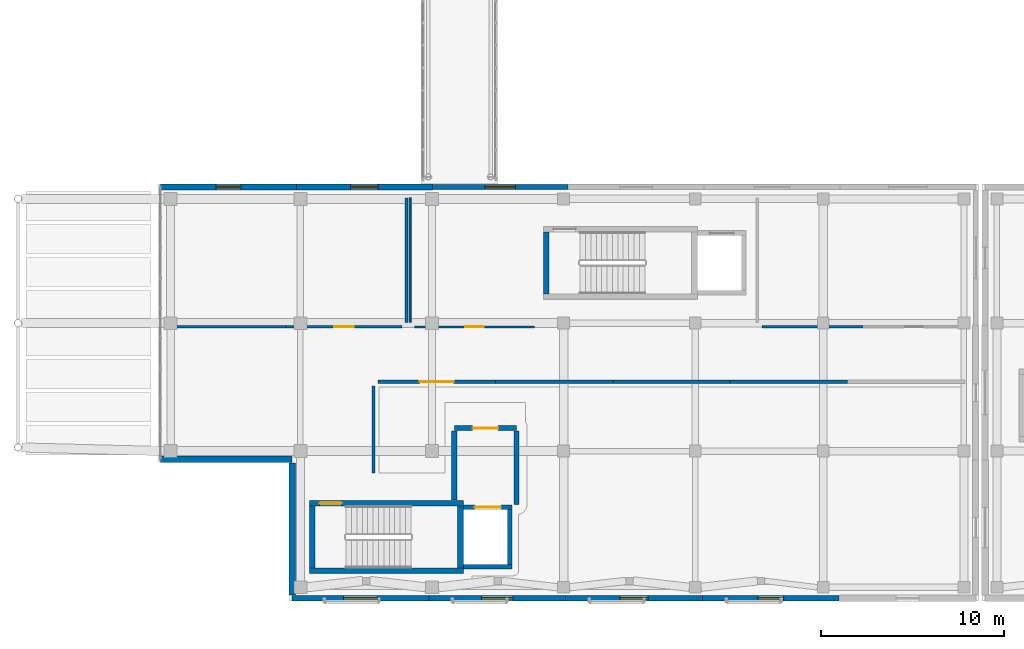
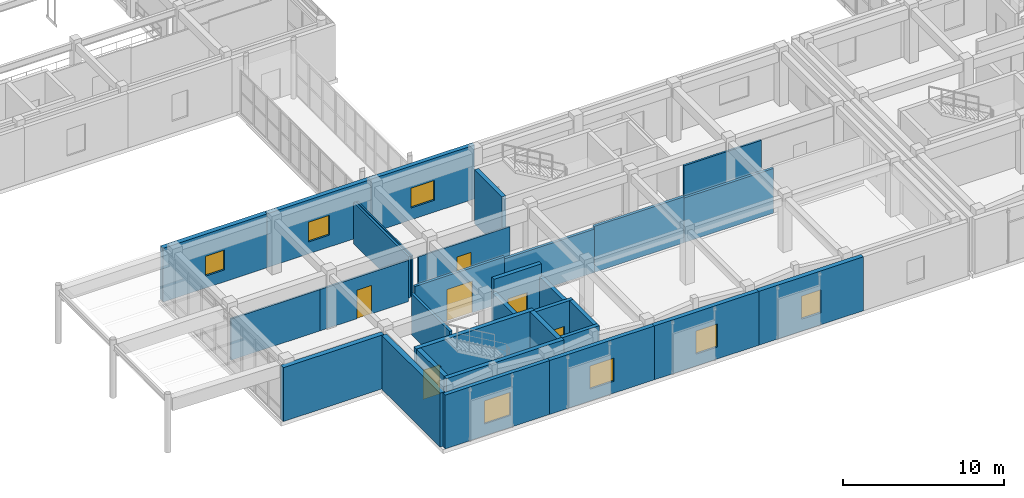
# One storey, part 117 of 142: 31 walls, 7 windows, 6 doors, 13 openings.
"""IFC4 building model written with IfcOpenShell, lengths in metres."""

from ifc_helpers import new_model, si_unit, direction, frame, frame_2d, origin, place, context, subcontext, project, spatial, rectangle, extrude, material, layer, layer_set, type_object, element, fill, save


model = new_model("IFC4")

# Units and contexts
model_context = context("Model", 3, precision=1e-05, world=origin(), true_north=direction((0.0, 1.0)))
body_context = subcontext(model_context, "Body", "Model", "MODEL_VIEW")
ifc_project = project(units=[si_unit("LENGTHUNIT", "METRE"), si_unit("AREAUNIT", "SQUARE_METRE"), si_unit("VOLUMEUNIT", "CUBIC_METRE"), si_unit("PLANEANGLEUNIT", "RADIAN"), si_unit("MASSUNIT", "GRAM", prefix="KILO")], contexts=[model_context])

# Site, building, storey
site_placement = place(None, origin())
site = spatial("IfcSite", under=ifc_project, at=site_placement, CompositionType="ELEMENT")
building_placement = place(site_placement, origin())
building = spatial("IfcBuilding", under=site, at=building_placement, Name="Valcora Specialist Clinic", CompositionType="ELEMENT")
storey_placement = place(building_placement, frame((0.0, 0.0, 5.10009765625)))
storey = spatial("IfcBuildingStorey", under=building, at=storey_placement, Name="L01", CompositionType="ELEMENT", Elevation=5.10009765625)

# Wall, opening, door
ifc_material_1 = material(Name="Concrete C40/50", Category="concrete")
ifc_layer_1 = layer(ifc_material_1, 0.284912109375)
ifc_layer_set_1 = layer_set([ifc_layer_1], Name="Concrete C40/50")
wall_type_1 = type_object("IfcWallType", Name="TY-WL-CR285", PredefinedType="SHEAR", material=ifc_layer_set_1)
wall_1_placement = place(storey_placement, frame((24.6201171875, 9.4599609375, 0.0), z_axis=(0.0, 0.0, 1.0), x_axis=(1.0, 0.0, 0.0)))
wall_1 = element("IfcWall", 1, at=wall_1_placement, inside=storey, type_object=wall_type_1, Name="Firefighting lobby front wall WL-FFL-LF-05-L01-F", PredefinedType="SHEAR", context=body_context, shape_type="SweptSolid", body=[
    extrude(rectangle(XDim=3.39990234375, YDim=0.284912109375, at=frame_2d((1.699951171875, 0.0))), origin(), (0.0, 0.0, 1.0), 4.074951171875),
])
opening_1_placement = place(wall_1_placement, frame((1.0, 0.0, 0.0)))
opening_1 = element("IfcOpeningElement", 2, at=opening_1_placement, cuts=wall_1, Name="Opening DR-FF-140", PredefinedType="OPENING", context=body_context, shape_type="SweptSolid", body=[
    extrude(rectangle(XDim=1.39990234375, YDim=2.25, at=frame_2d((0.699951171875, 1.125))), frame((0.0, 0.15234375, 0.0), z_axis=(0.0, -1.0, 0.0), x_axis=(1.0, 0.0, 0.0)), (0.0, 0.0, 1.0), 0.304931640625),
])
ifc_material_2 = material(Name="Galvanized Hollow Metal Door Steel ASTM A653", Category="steel")
door_type_1 = type_object("IfcDoorType", Name="TY-DR-FF140", OperationType="NOTDEFINED", PredefinedType="DOOR", material=ifc_material_2)
door_1_placement = place(opening_1_placement, origin())
door_1 = element("IfcDoor", 3, at=door_1_placement, inside=storey, type_object=door_type_1, Name="Firefighting lobby fire door LF-05 L01", OperationType="SINGLE_SWING_LEFT", OverallHeight=2.25, OverallWidth=1.39990234375, PredefinedType="DOOR", context=body_context, shape_type="SweptSolid", body=[
    extrude(rectangle(XDim=1.39990234375, YDim=2.25, at=frame_2d((0.699951171875, 1.125))), frame((0.0, 0.02490234375, 0.0), z_axis=(0.0, -1.0, 0.0), x_axis=(1.0, 0.0, 0.0)), (0.0, 0.0, 1.0), 0.050048828125),
])
fill(opening_1, door_1)

# Walls
wall_2_placement = place(storey_placement, frame((24.6201171875, 5.52001953125, 0.0), z_axis=(0.0, 0.0, 1.0), x_axis=(0.0, 1.0, 0.0)))
element("IfcWall", 4, at=wall_2_placement, inside=storey, type_object=wall_type_1, Name="Firefighting lobby west wall", PredefinedType="SHEAR", context=body_context, shape_type="SweptSolid", body=[
    extrude(rectangle(XDim=3.7900390625, YDim=0.284912109375, at=frame_2d((1.89501953125, 0.0))), origin(), (0.0, 0.0, 1.0), 3.125),
])
wall_3_placement = place(storey_placement, frame((28.02001953125, 5.280029296875, 0.0), z_axis=(0.0, 0.0, 1.0), x_axis=(0.0, 1.0, 0.0)))
element("IfcWall", 5, at=wall_3_placement, inside=storey, type_object=wall_type_1, Name="Firefighting lobby east wall", PredefinedType="SHEAR", context=body_context, shape_type="SweptSolid", body=[
    extrude(rectangle(XDim=4.030029296875, YDim=0.284912109375, at=frame_2d((2.01513671875, 0.0))), origin(), (0.0, 0.0, 1.0), 3.125),
])
ifc_layer_2 = layer(ifc_material_1, 0.300048828125)
ifc_layer_set_2 = layer_set([ifc_layer_2], Name="Concrete C40/50")
wall_type_2 = type_object("IfcWallType", Name="TY-WL-CR300", PredefinedType="SHEAR", material=ifc_layer_set_2)
wall_4_placement = place(storey_placement, frame((16.699951171875, 1.64990234375, 0.0), z_axis=(0.0, 0.0, 1.0), x_axis=(1.0, 0.0, 0.0)))
element("IfcWall", 6, at=wall_4_placement, inside=storey, type_object=wall_type_2, Name="Core shear wall WL-CR-C-V5A-L01-S", PredefinedType="SHEAR", context=body_context, shape_type="SweptSolid", body=[
    extrude(rectangle(XDim=8.420166015625, YDim=0.300048828125, at=frame_2d((4.2099609375, 0.0))), origin(), (0.0, 0.0, 1.0), 4.074951171875),
])

# Wall, opening, door
wall_5_placement = place(storey_placement, frame((16.699951171875, 5.35009765625, 0.0), z_axis=(0.0, 0.0, 1.0), x_axis=(1.0, 0.0, 0.0)))
wall_5 = element("IfcWall", 7, at=wall_5_placement, inside=storey, type_object=wall_type_2, Name="Core shear wall WL-CR-C-V5A-L01-N", PredefinedType="SHEAR", context=body_context, shape_type="SweptSolid", body=[
    extrude(rectangle(XDim=8.420166015625, YDim=0.300048828125, at=frame_2d((4.2099609375, 0.0))), origin(), (0.0, 0.0, 1.0), 4.074951171875),
])
opening_2_placement = place(wall_5_placement, frame((0.550048828125, 0.0, 0.0)))
opening_2 = element("IfcOpeningElement", 8, at=opening_2_placement, cuts=wall_5, Name="Opening DR-FD-120", PredefinedType="OPENING", context=body_context, shape_type="SweptSolid", body=[
    extrude(rectangle(XDim=1.199951171875, YDim=2.199951171875, at=frame_2d((0.60009765625, 1.10009765625))), frame((0.0, 0.159912109375, 0.0), z_axis=(0.0, -1.0, 0.0), x_axis=(1.0, 0.0, 0.0)), (0.0, 0.0, 1.0), 0.320068359375),
])
door_type_2 = type_object("IfcDoorType", Name="TY-DR-ST120", OperationType="NOTDEFINED", PredefinedType="DOOR", material=ifc_material_2)
door_2_placement = place(opening_2_placement, origin())
door_2 = element("IfcDoor", 9, at=door_2_placement, inside=storey, type_object=door_type_2, Name="Exit stair fire door C-V5A L01", OperationType="SINGLE_SWING_RIGHT", OverallHeight=2.199951171875, OverallWidth=1.199951171875, PredefinedType="DOOR", context=body_context, shape_type="SweptSolid", body=[
    extrude(rectangle(XDim=1.199951171875, YDim=2.199951171875, at=frame_2d((0.60009765625, 1.10009765625))), frame((0.0, 0.02490234375, 0.0), z_axis=(0.0, -1.0, 0.0), x_axis=(1.0, 0.0, 0.0)), (0.0, 0.0, 1.0), 0.050048828125),
])
fill(opening_2, door_2)

# Walls
for number, where, z_axis, x_axis, name in (
    (10, (16.85009765625, 1.802001953125, 0.0), (0.0, 0.0, 1.0), (0.0, 1.0, 0.0), "Core shear wall WL-CR-C-V5A-L01-W"),
    (11, (29.64990234375, 16.802001953125, 0.0), (0.0, 0.0, 1.0), (0.0, 1.0, 0.0), "Core shear wall WL-CR-C-V5B-L01-W"),
):
    element("IfcWall", number, at=place(storey_placement, frame(where, z_axis=z_axis, x_axis=x_axis)), inside=storey, type_object=wall_type_2, Name=name, PredefinedType="SHEAR", context=body_context, shape_type="SweptSolid", body=[
        extrude(rectangle(XDim=3.39599609375, YDim=0.300048828125, at=frame_2d((1.697998046875, 0.0))), origin(), (0.0, 0.0, 1.0), 4.074951171875),
    ])
ifc_layer_3 = layer(ifc_material_1, 0.320068359375)
ifc_layer_set_3 = layer_set([ifc_layer_3], Name="Concrete C40/50")
wall_type_3 = type_object("IfcWallType", Name="TY-WL-CR320", PredefinedType="SHEAR", material=ifc_layer_set_3)
wall_6_placement = place(storey_placement, frame((24.9599609375, 1.802001953125, 0.0), z_axis=(0.0, 0.0, 1.0), x_axis=(0.0, 1.0, 0.0)))
element("IfcWall", 12, at=wall_6_placement, inside=storey, type_object=wall_type_3, Name="Core shear wall WL-CR-C-V5A-L01-E", PredefinedType="SHEAR", context=body_context, shape_type="SweptSolid", body=[
    extrude(rectangle(XDim=3.39599609375, YDim=0.320068359375, at=frame_2d((1.697998046875, 0.0))), origin(), (0.0, 0.0, 1.0), 4.074951171875),
])

# Wall, opening, window
ifc_material_3 = material(Name="Extruded Jalisco Clay Brick Masonry", Category="masonry")
ifc_layer_4 = layer(ifc_material_3, 0.280029296875)
ifc_layer_set_4 = layer_set([ifc_layer_4], Name="Extruded Jalisco Clay Brick Masonry")
wall_type_4 = type_object("IfcWallType", Name="TY-WL-EW280", PredefinedType="SOLIDWALL", material=ifc_layer_set_4)
wall_7_placement = place(storey_placement, frame((23.22998046875, 0.14990234375, 0.0), z_axis=(0.0, 0.0, 1.0), x_axis=(-1.0, 0.0, 0.0)))
wall_7 = element("IfcWall", 13, at=wall_7_placement, inside=storey, type_object=wall_type_4, Name="Exterior wall WL-EXT-L01-0257", PredefinedType="SOLIDWALL", context=body_context, shape_type="SweptSolid", body=[
    extrude(rectangle(XDim=7.47998046875, YDim=0.280029296875, at=frame_2d((3.739990234375, 0.0))), origin(), (0.0, 0.0, 1.0), 4.074951171875),
])
opening_3_placement = place(wall_7_placement, frame((2.81494140625, 0.0, 0.89990234375)))
opening_3 = element("IfcOpeningElement", 14, at=opening_3_placement, cuts=wall_7, Name="Opening WN-17", PredefinedType="OPENING", context=body_context, shape_type="SweptSolid", body=[
    extrude(rectangle(XDim=1.85009765625, YDim=1.75, at=frame_2d((0.925048828125, 0.875))), frame((0.0, 0.14990234375, 0.0), z_axis=(0.0, -1.0, 0.0), x_axis=(1.0, 0.0, 0.0)), (0.0, 0.0, 1.0), 0.300048828125),
])
ifc_material_4 = material(Name="Low-E Laminated Insulating Glass", Category="glass")
window_type_1 = type_object("IfcWindowType", Name="TY-WN-17", PartitioningType="SINGLE_PANEL", PredefinedType="WINDOW", material=ifc_material_4)
window_1_placement = place(opening_3_placement, origin())
window_1 = element("IfcWindow", 15, at=window_1_placement, inside=storey, type_object=window_type_1, Name="Facade window WN-L01-0227", OverallHeight=1.75, OverallWidth=1.85009765625, PartitioningType="SINGLE_PANEL", PredefinedType="WINDOW", context=body_context, shape_type="SweptSolid", body=[
    extrude(rectangle(XDim=1.85009765625, YDim=1.75, at=frame_2d((0.925048828125, 0.875))), frame((0.0, 0.030029296875, 0.0), z_axis=(0.0, -1.0, 0.0), x_axis=(1.0, 0.0, 0.0)), (0.0, 0.0, 1.0), 0.06005859375),
])
fill(opening_3, window_1)

ifc_layer_5 = layer(ifc_material_3, 0.294921875)
ifc_layer_set_5 = layer_set([ifc_layer_5], Name="Extruded Jalisco Clay Brick Masonry")
wall_type_5 = type_object("IfcWallType", Name="TY-WL-EW295", PredefinedType="SOLIDWALL", material=ifc_layer_set_5)
wall_8_placement = place(storey_placement, frame((23.416748046875, 22.64990234375, 0.0), z_axis=(0.0, 0.0, 1.0), x_axis=(1.0, 0.0, 0.0)))
wall_8 = element("IfcWall", 16, at=wall_8_placement, inside=storey, type_object=wall_type_5, Name="Exterior wall WL-EXT-L01-0246", PredefinedType="SOLIDWALL", context=body_context, shape_type="SweptSolid", body=[
    extrude(rectangle(XDim=7.433349609375, YDim=0.294921875, at=frame_2d((3.716796875, 0.0))), origin(), (0.0, 0.0, 1.0), 4.074951171875),
])
opening_4_placement = place(wall_8_placement, frame((2.89208984375, 0.0, 0.89990234375)))
opening_4 = element("IfcOpeningElement", 17, at=opening_4_placement, cuts=wall_8, Name="Opening WN-06", PredefinedType="OPENING", context=body_context, shape_type="SweptSolid", body=[
    extrude(rectangle(XDim=1.64990234375, YDim=1.5, at=frame_2d((0.824951171875, 0.75))), frame((0.0, 0.157470703125, 0.0), z_axis=(0.0, -1.0, 0.0), x_axis=(1.0, 0.0, 0.0)), (0.0, 0.0, 1.0), 0.31494140625),
])
window_type_2 = type_object("IfcWindowType", Name="TY-WN-06", PartitioningType="SINGLE_PANEL", PredefinedType="WINDOW", material=ifc_material_4)
window_2_placement = place(opening_4_placement, origin())
window_2 = element("IfcWindow", 18, at=window_2_placement, inside=storey, type_object=window_type_2, Name="Facade window WN-L01-0216", OverallHeight=1.5, OverallWidth=1.64990234375, PartitioningType="SINGLE_PANEL", PredefinedType="WINDOW", context=body_context, shape_type="SweptSolid", body=[
    extrude(rectangle(XDim=1.64990234375, YDim=1.5, at=frame_2d((0.824951171875, 0.75))), frame((0.0, 0.030029296875, 0.0), z_axis=(0.0, -1.0, 0.0), x_axis=(1.0, 0.0, 0.0)), (0.0, 0.0, 1.0), 0.06005859375),
])
fill(opening_4, window_2)

wall_9_placement = place(storey_placement, frame((30.7099609375, 0.14990234375, 0.0), z_axis=(0.0, 0.0, 1.0), x_axis=(-1.0, 0.0, 0.0)))
wall_9 = element("IfcWall", 19, at=wall_9_placement, inside=storey, type_object=wall_type_5, Name="Exterior wall WL-EXT-L01-0256", PredefinedType="SOLIDWALL", context=body_context, shape_type="SweptSolid", body=[
    extrude(rectangle(XDim=7.47998046875, YDim=0.294921875, at=frame_2d((3.739990234375, 0.0))), origin(), (0.0, 0.0, 1.0), 4.074951171875),
])
opening_5_placement = place(wall_9_placement, frame((2.889892578125, 0.0, 0.89990234375)))
opening_5 = element("IfcOpeningElement", 20, at=opening_5_placement, cuts=wall_9, Name="Opening WN-16", PredefinedType="OPENING", context=body_context, shape_type="SweptSolid", body=[
    extrude(rectangle(XDim=1.699951171875, YDim=1.75, at=frame_2d((0.85009765625, 0.875))), frame((0.0, 0.157470703125, 0.0), z_axis=(0.0, -1.0, 0.0), x_axis=(1.0, 0.0, 0.0)), (0.0, 0.0, 1.0), 0.31494140625),
])
window_type_3 = type_object("IfcWindowType", Name="TY-WN-16", PartitioningType="SINGLE_PANEL", PredefinedType="WINDOW", material=ifc_material_4)
window_3_placement = place(opening_5_placement, origin())
window_3 = element("IfcWindow", 21, at=window_3_placement, inside=storey, type_object=window_type_3, Name="Facade window WN-L01-0226", OverallHeight=1.75, OverallWidth=1.699951171875, PartitioningType="SINGLE_PANEL", PredefinedType="WINDOW", context=body_context, shape_type="SweptSolid", body=[
    extrude(rectangle(XDim=1.699951171875, YDim=1.75, at=frame_2d((0.85009765625, 0.875))), frame((0.0, 0.030029296875, 0.0), z_axis=(0.0, -1.0, 0.0), x_axis=(1.0, 0.0, 0.0)), (0.0, 0.0, 1.0), 0.06005859375),
])
fill(opening_5, window_3)

ifc_layer_6 = layer(ifc_material_3, 0.31005859375)
ifc_layer_set_6 = layer_set([ifc_layer_6], Name="Extruded Jalisco Clay Brick Masonry")
wall_type_6 = type_object("IfcWallType", Name="TY-WL-EW310", PredefinedType="SOLIDWALL", material=ifc_layer_set_6)
wall_10_placement = place(storey_placement, frame((15.9833984375, 22.64990234375, 0.0), z_axis=(0.0, 0.0, 1.0), x_axis=(1.0, 0.0, 0.0)))
wall_10 = element("IfcWall", 22, at=wall_10_placement, inside=storey, type_object=wall_type_6, Name="Exterior wall WL-EXT-L01-0245", PredefinedType="SOLIDWALL", context=body_context, shape_type="SweptSolid", body=[
    extrude(rectangle(XDim=7.433349609375, YDim=0.31005859375, at=frame_2d((3.716796875, 0.0))), origin(), (0.0, 0.0, 1.0), 4.074951171875),
])
opening_6_placement = place(wall_10_placement, frame((2.967041015625, 0.0, 0.89990234375)))
opening_6 = element("IfcOpeningElement", 23, at=opening_6_placement, cuts=wall_10, Name="Opening WN-05", PredefinedType="OPENING", context=body_context, shape_type="SweptSolid", body=[
    extrude(rectangle(XDim=1.5, YDim=1.5, at=frame_2d((0.75, 0.75))), frame((0.0, 0.1650390625, 0.0), z_axis=(0.0, -1.0, 0.0), x_axis=(1.0, 0.0, 0.0)), (0.0, 0.0, 1.0), 0.330078125),
])
window_type_4 = type_object("IfcWindowType", Name="TY-WN-05", PartitioningType="SINGLE_PANEL", PredefinedType="WINDOW", material=ifc_material_4)
window_4_placement = place(opening_6_placement, origin())
window_4 = element("IfcWindow", 24, at=window_4_placement, inside=storey, type_object=window_type_4, Name="Facade window WN-L01-0215", OverallHeight=1.5, OverallWidth=1.5, PartitioningType="SINGLE_PANEL", PredefinedType="WINDOW", context=body_context, shape_type="SweptSolid", body=[
    extrude(rectangle(XDim=1.5, YDim=1.5, at=frame_2d((0.75, 0.75))), frame((0.0, 0.030029296875, 0.0), z_axis=(0.0, -1.0, 0.0), x_axis=(1.0, 0.0, 0.0)), (0.0, 0.0, 1.0), 0.06005859375),
])
fill(opening_6, window_4)

wall_11_placement = place(storey_placement, frame((38.18994140625, 0.14990234375, 0.0), z_axis=(0.0, 0.0, 1.0), x_axis=(-1.0, 0.0, 0.0)))
wall_11 = element("IfcWall", 25, at=wall_11_placement, inside=storey, type_object=wall_type_6, Name="Exterior wall WL-EXT-L01-0255", PredefinedType="SOLIDWALL", context=body_context, shape_type="SweptSolid", body=[
    extrude(rectangle(XDim=7.47998046875, YDim=0.31005859375, at=frame_2d((3.739990234375, 0.0))), origin(), (0.0, 0.0, 1.0), 4.074951171875),
])
opening_7_placement = place(wall_11_placement, frame((2.965087890625, 0.0, 0.89990234375)))
opening_7 = element("IfcOpeningElement", 26, at=opening_7_placement, cuts=wall_11, Name="Opening WN-15", PredefinedType="OPENING", context=body_context, shape_type="SweptSolid", body=[
    extrude(rectangle(XDim=1.550048828125, YDim=1.75, at=frame_2d((0.77490234375, 0.875))), frame((0.0, 0.1650390625, 0.0), z_axis=(0.0, -1.0, 0.0), x_axis=(1.0, 0.0, 0.0)), (0.0, 0.0, 1.0), 0.330078125),
])
window_type_5 = type_object("IfcWindowType", Name="TY-WN-15", PartitioningType="SINGLE_PANEL", PredefinedType="WINDOW", material=ifc_material_4)
window_5_placement = place(opening_7_placement, origin())
window_5 = element("IfcWindow", 27, at=window_5_placement, inside=storey, type_object=window_type_5, Name="Facade window WN-L01-0225", OverallHeight=1.75, OverallWidth=1.550048828125, PartitioningType="SINGLE_PANEL", PredefinedType="WINDOW", context=body_context, shape_type="SweptSolid", body=[
    extrude(rectangle(XDim=1.550048828125, YDim=1.75, at=frame_2d((0.77490234375, 0.875))), frame((0.0, 0.030029296875, 0.0), z_axis=(0.0, -1.0, 0.0), x_axis=(1.0, 0.0, 0.0)), (0.0, 0.0, 1.0), 0.06005859375),
])
fill(opening_7, window_5)

ifc_layer_7 = layer(ifc_material_3, 0.324951171875)
ifc_layer_set_7 = layer_set([ifc_layer_7], Name="Extruded Jalisco Clay Brick Masonry")
wall_type_7 = type_object("IfcWallType", Name="TY-WL-EW325", PredefinedType="SOLIDWALL", material=ifc_layer_set_7)
wall_12_placement = place(storey_placement, frame((8.550048828125, 22.64990234375, 0.0), z_axis=(0.0, 0.0, 1.0), x_axis=(1.0, 0.0, 0.0)))
wall_12 = element("IfcWall", 28, at=wall_12_placement, inside=storey, type_object=wall_type_7, Name="Exterior wall WL-EXT-L01-0244", PredefinedType="SOLIDWALL", context=body_context, shape_type="SweptSolid", body=[
    extrude(rectangle(XDim=7.433349609375, YDim=0.324951171875, at=frame_2d((3.716796875, 0.0))), origin(), (0.0, 0.0, 1.0), 4.074951171875),
])
opening_8_placement = place(wall_12_placement, frame((3.0419921875, 0.0, 0.89990234375)))
opening_8 = element("IfcOpeningElement", 29, at=opening_8_placement, cuts=wall_12, Name="Opening WN-04", PredefinedType="OPENING", context=body_context, shape_type="SweptSolid", body=[
    extrude(rectangle(XDim=1.35009765625, YDim=1.5, at=frame_2d((0.675048828125, 0.75))), frame((0.0, 0.17236328125, 0.0), z_axis=(0.0, -1.0, 0.0), x_axis=(1.0, 0.0, 0.0)), (0.0, 0.0, 1.0), 0.344970703125),
])
window_type_6 = type_object("IfcWindowType", Name="TY-WN-04", PartitioningType="SINGLE_PANEL", PredefinedType="WINDOW", material=ifc_material_4)
window_6_placement = place(opening_8_placement, origin())
window_6 = element("IfcWindow", 30, at=window_6_placement, inside=storey, type_object=window_type_6, Name="Facade window WN-L01-0214", OverallHeight=1.5, OverallWidth=1.35009765625, PartitioningType="SINGLE_PANEL", PredefinedType="WINDOW", context=body_context, shape_type="SweptSolid", body=[
    extrude(rectangle(XDim=1.35009765625, YDim=1.5, at=frame_2d((0.675048828125, 0.75))), frame((0.0, 0.030029296875, 0.0), z_axis=(0.0, -1.0, 0.0), x_axis=(1.0, 0.0, 0.0)), (0.0, 0.0, 1.0), 0.06005859375),
])
fill(opening_8, window_6)

wall_13_placement = place(storey_placement, frame((45.669921875, 0.14990234375, 0.0), z_axis=(0.0, 0.0, 1.0), x_axis=(-1.0, 0.0, 0.0)))
wall_13 = element("IfcWall", 31, at=wall_13_placement, inside=storey, type_object=wall_type_7, Name="Exterior wall WL-EXT-L01-0254", PredefinedType="SOLIDWALL", context=body_context, shape_type="SweptSolid", body=[
    extrude(rectangle(XDim=7.47998046875, YDim=0.324951171875, at=frame_2d((3.739990234375, 0.0))), origin(), (0.0, 0.0, 1.0), 4.074951171875),
])
opening_9_placement = place(wall_13_placement, frame((3.0400390625, 0.0, 0.89990234375)))
opening_9 = element("IfcOpeningElement", 32, at=opening_9_placement, cuts=wall_13, Name="Opening WN-14", PredefinedType="OPENING", context=body_context, shape_type="SweptSolid", body=[
    extrude(rectangle(XDim=1.39990234375, YDim=1.75, at=frame_2d((0.699951171875, 0.875))), frame((0.0, 0.17236328125, 0.0), z_axis=(0.0, -1.0, 0.0), x_axis=(1.0, 0.0, 0.0)), (0.0, 0.0, 1.0), 0.344970703125),
])
window_type_7 = type_object("IfcWindowType", Name="TY-WN-14", PartitioningType="SINGLE_PANEL", PredefinedType="WINDOW", material=ifc_material_4)
window_7_placement = place(opening_9_placement, origin())
window_7 = element("IfcWindow", 33, at=window_7_placement, inside=storey, type_object=window_type_7, Name="Facade window WN-L01-0224", OverallHeight=1.75, OverallWidth=1.39990234375, PartitioningType="SINGLE_PANEL", PredefinedType="WINDOW", context=body_context, shape_type="SweptSolid", body=[
    extrude(rectangle(XDim=1.39990234375, YDim=1.75, at=frame_2d((0.699951171875, 0.875))), frame((0.0, 0.030029296875, 0.0), z_axis=(0.0, -1.0, 0.0), x_axis=(1.0, 0.0, 0.0)), (0.0, 0.0, 1.0), 0.06005859375),
])
fill(opening_9, window_7)

# Walls
ifc_layer_8 = layer(ifc_material_3, 0.340087890625)
ifc_layer_set_8 = layer_set([ifc_layer_8], Name="Extruded Jalisco Clay Brick Masonry")
wall_type_8 = type_object("IfcWallType", Name="TY-WL-EW340", PredefinedType="SOLIDWALL", material=ifc_layer_set_8)
wall_14_placement = place(storey_placement, frame((15.75, 7.75, 0.0), z_axis=(0.0, 0.0, 1.0), x_axis=(-1.0, 0.0, 0.0)))
element("IfcWall", 34, at=wall_14_placement, inside=storey, type_object=wall_type_8, Name="Exterior wall WL-EXT-L01-0243", PredefinedType="SOLIDWALL", context=body_context, shape_type="SweptSolid", body=[
    extrude(rectangle(XDim=7.199951171875, YDim=0.340087890625, at=frame_2d((3.60009765625, 0.0))), origin(), (0.0, 0.0, 1.0), 4.074951171875),
])
ifc_layer_9 = layer(ifc_material_3, 0.35498046875)
ifc_layer_set_9 = layer_set([ifc_layer_9], Name="Extruded Jalisco Clay Brick Masonry")
wall_type_9 = type_object("IfcWallType", Name="TY-WL-EW355", PredefinedType="SOLIDWALL", material=ifc_layer_set_9)
wall_15_placement = place(storey_placement, frame((15.75, 0.340087890625, 0.0), z_axis=(0.0, 0.0, 1.0), x_axis=(0.0, 1.0, 0.0)))
element("IfcWall", 35, at=wall_15_placement, inside=storey, type_object=wall_type_9, Name="Exterior wall WL-EXT-L01-0242", PredefinedType="SOLIDWALL", context=body_context, shape_type="SweptSolid", body=[
    extrude(rectangle(XDim=7.219970703125, YDim=0.35498046875, at=frame_2d((3.60986328125, 0.0))), origin(), (0.0, 0.0, 1.0), 4.074951171875),
])
ifc_material_5 = material(Name="Gypsum Board Partition Assembly")
ifc_layer_10 = layer(ifc_material_5, 0.10498046875)
ifc_layer_set_10 = layer_set([ifc_layer_10], Name="Gypsum Board Partition Assembly")
wall_type_10 = type_object("IfcWallType", Name="TY-WL-PT105", PredefinedType="PARTITIONING", material=ifc_layer_set_10)
wall_16_placement = place(storey_placement, frame((22.199951171875, 15.25, 0.0), z_axis=(0.0, 0.0, 1.0), x_axis=(0.0, 1.0, 0.0)))
element("IfcWall", 36, at=wall_16_placement, inside=storey, type_object=wall_type_10, Name="Interior partition WL-INT-L01-0250", PredefinedType="PARTITIONING", context=body_context, shape_type="SweptSolid", body=[
    extrude(rectangle(XDim=6.800048828125, YDim=0.10498046875, at=frame_2d((3.39990234375, 0.0))), origin(), (0.0, 0.0, 1.0), 3.125),
])

# Wall, opening, door
ifc_layer_11 = layer(ifc_material_5, 0.114990234375)
ifc_layer_set_11 = layer_set([ifc_layer_11], Name="Gypsum Board Partition Assembly")
wall_type_11 = type_object("IfcWallType", Name="TY-WL-PT115", PredefinedType="PARTITIONING", material=ifc_layer_set_11)
wall_17_placement = place(storey_placement, frame((29.0, 15.0, 0.0), z_axis=(0.0, 0.0, 1.0), x_axis=(-1.0, 0.0, 0.0)))
wall_17 = element("IfcWall", 37, at=wall_17_placement, inside=storey, type_object=wall_type_11, Name="Interior partition WL-INT-L01-0249", PredefinedType="PARTITIONING", context=body_context, shape_type="SweptSolid", body=[
    extrude(rectangle(XDim=6.550048828125, YDim=0.114990234375, at=frame_2d((3.27490234375, 0.0))), origin(), (0.0, 0.0, 1.0), 3.125),
])
opening_10_placement = place(wall_17_placement, frame((2.764892578125, 0.0, 0.0)))
opening_10 = element("IfcOpeningElement", 38, at=opening_10_placement, cuts=wall_17, Name="Opening DR-CN-102", PredefinedType="OPENING", context=body_context, shape_type="SweptSolid", body=[
    extrude(rectangle(XDim=1.02001953125, YDim=2.14990234375, at=frame_2d((0.510009765625, 1.074951171875))), frame((0.0, 0.0673828125, 0.0), z_axis=(0.0, -1.0, 0.0), x_axis=(1.0, 0.0, 0.0)), (0.0, 0.0, 1.0), 0.135009765625),
])
ifc_material_6 = material(Name="Glulam Conifer Class 24F", Category="wood")
door_type_3 = type_object("IfcDoorType", Name="TY-DR-CN102", OperationType="NOTDEFINED", PredefinedType="DOOR", material=ifc_material_6)
door_3_placement = place(opening_10_placement, origin())
door_3 = element("IfcDoor", 39, at=door_3_placement, inside=storey, type_object=door_type_3, Name="Interior door DR-INT-L01-0069", OperationType="SINGLE_SWING_LEFT", OverallHeight=2.14990234375, OverallWidth=1.02001953125, PredefinedType="DOOR", context=body_context, shape_type="SweptSolid", body=[
    extrude(rectangle(XDim=1.02001953125, YDim=2.14990234375, at=frame_2d((0.510009765625, 1.074951171875))), frame((0.0, 0.02490234375, 0.0), z_axis=(0.0, -1.0, 0.0), x_axis=(1.0, 0.0, 0.0)), (0.0, 0.0, 1.0), 0.050048828125),
])
fill(opening_10, door_3)

# Wall
ifc_layer_12 = layer(ifc_material_5, 0.125)
ifc_layer_set_12 = layer_set([ifc_layer_12], Name="Gypsum Board Partition Assembly")
wall_type_12 = type_object("IfcWallType", Name="TY-WL-PT125", PredefinedType="PARTITIONING", material=ifc_layer_set_12)
wall_18_placement = place(storey_placement, frame((15.39990234375, 15.0, 0.0), z_axis=(0.0, 0.0, 1.0), x_axis=(-1.0, 0.0, 0.0)))
element("IfcWall", 40, at=wall_18_placement, inside=storey, type_object=wall_type_12, Name="Interior partition WL-INT-L01-0248", PredefinedType="PARTITIONING", context=body_context, shape_type="SweptSolid", body=[
    extrude(rectangle(XDim=6.349853515625, YDim=0.125, at=frame_2d((3.1748046875, 0.0))), origin(), (0.0, 0.0, 1.0), 3.125),
])

# Wall, opening, door
ifc_layer_13 = layer(ifc_material_5, 0.135009765625)
ifc_layer_set_13 = layer_set([ifc_layer_13], Name="Gypsum Board Partition Assembly")
wall_type_13 = type_object("IfcWallType", Name="TY-WL-PT135", PredefinedType="PARTITIONING", material=ifc_layer_set_13)
wall_19_placement = place(storey_placement, frame((21.75, 15.0, 0.0), z_axis=(0.0, 0.0, 1.0), x_axis=(-1.0, 0.0, 0.0)))
wall_19 = element("IfcWall", 41, at=wall_19_placement, inside=storey, type_object=wall_type_13, Name="Interior partition WL-INT-L01-0247", PredefinedType="PARTITIONING", context=body_context, shape_type="SweptSolid", body=[
    extrude(rectangle(XDim=6.35009765625, YDim=0.135009765625, at=frame_2d((3.175048828125, 0.0))), origin(), (0.0, 0.0, 1.0), 3.125),
])
opening_11_placement = place(wall_19_placement, frame((2.64501953125, 0.0, 0.0)))
opening_11 = element("IfcOpeningElement", 42, at=opening_11_placement, cuts=wall_19, Name="Opening DR-CN-106", PredefinedType="OPENING", context=body_context, shape_type="SweptSolid", body=[
    extrude(rectangle(XDim=1.06005859375, YDim=2.14990234375, at=frame_2d((0.530029296875, 1.074951171875))), frame((0.0, 0.077392578125, 0.0), z_axis=(0.0, -1.0, 0.0), x_axis=(1.0, 0.0, 0.0)), (0.0, 0.0, 1.0), 0.155029296875),
])
door_type_4 = type_object("IfcDoorType", Name="TY-DR-CN106", OperationType="NOTDEFINED", PredefinedType="DOOR", material=ifc_material_6)
door_4_placement = place(opening_11_placement, origin())
door_4 = element("IfcDoor", 43, at=door_4_placement, inside=storey, type_object=door_type_4, Name="Interior door DR-INT-L01-0068", OperationType="SINGLE_SWING_RIGHT", OverallHeight=2.14990234375, OverallWidth=1.06005859375, PredefinedType="DOOR", context=body_context, shape_type="SweptSolid", body=[
    extrude(rectangle(XDim=1.06005859375, YDim=2.14990234375, at=frame_2d((0.530029296875, 1.074951171875))), frame((0.0, 0.02490234375, 0.0), z_axis=(0.0, -1.0, 0.0), x_axis=(1.0, 0.0, 0.0)), (0.0, 0.0, 1.0), 0.050048828125),
])
fill(opening_11, door_4)

# Walls
ifc_layer_14 = layer(ifc_material_5, 0.14501953125)
ifc_layer_set_14 = layer_set([ifc_layer_14], Name="Gypsum Board Partition Assembly")
wall_type_14 = type_object("IfcWallType", Name="TY-WL-PT145", PredefinedType="PARTITIONING", material=ifc_layer_set_14)
wall_20_placement = place(storey_placement, frame((22.0, 22.050048828125, 0.0), z_axis=(0.0, 0.0, 1.0), x_axis=(0.0, -1.0, 0.0)))
element("IfcWall", 44, at=wall_20_placement, inside=storey, type_object=wall_type_14, Name="Interior partition WL-INT-L01-0246", PredefinedType="PARTITIONING", context=body_context, shape_type="SweptSolid", body=[
    extrude(rectangle(XDim=6.800048828125, YDim=0.14501953125, at=frame_2d((3.39990234375, 0.0))), origin(), (0.0, 0.0, 1.0), 3.125),
])
wall_21_placement = place(storey_placement, frame((47.0, 15.0, 0.0), z_axis=(0.0, 0.0, 1.0), x_axis=(-1.0, 0.0, 0.0)))
element("IfcWall", 45, at=wall_21_placement, inside=storey, type_object=wall_type_14, Name="Interior partition WL-INT-L01-0252", PredefinedType="PARTITIONING", context=body_context, shape_type="SweptSolid", body=[
    extrude(rectangle(XDim=5.550048828125, YDim=0.14501953125, at=frame_2d((2.77490234375, 0.0))), origin(), (0.0, 0.0, 1.0), 3.375),
])

# Wall, opening, door
ifc_layer_15 = layer(ifc_material_5, 0.18505859375)
ifc_layer_set_15 = layer_set([ifc_layer_15], Name="Gypsum Board Partition Assembly")
wall_type_15 = type_object("IfcWallType", Name="TY-WL-PT185", PredefinedType="PARTITIONING", material=ifc_layer_set_15)
wall_22_placement = place(storey_placement, frame((20.449951171875, 12.0, 0.0), z_axis=(0.0, 0.0, 1.0), x_axis=(1.0, 0.0, 0.0)))
wall_22 = element("IfcWall", 46, at=wall_22_placement, inside=storey, type_object=wall_type_15, Name="Interior partition WL-INT-L01-0240", PredefinedType="PARTITIONING", context=body_context, shape_type="SweptSolid", body=[
    extrude(rectangle(XDim=6.420166015625, YDim=0.18505859375, at=frame_2d((3.2099609375, 0.0))), origin(), (0.0, 0.0, 1.0), 3.4248046875),
])
opening_12_placement = place(wall_22_placement, frame((2.284912109375, 0.0, 0.0)))
opening_12 = element("IfcOpeningElement", 47, at=opening_12_placement, cuts=wall_22, Name="Opening DR-OR-185", PredefinedType="OPENING", context=body_context, shape_type="SweptSolid", body=[
    extrude(rectangle(XDim=1.85009765625, YDim=2.39990234375, at=frame_2d((0.925048828125, 1.199951171875))), frame((0.0, 0.1025390625, 0.0), z_axis=(0.0, -1.0, 0.0), x_axis=(1.0, 0.0, 0.0)), (0.0, 0.0, 1.0), 0.205078125),
])
ifc_material_7 = material(Name="Stainless Steel AISI 316", Category="steel")
door_type_5 = type_object("IfcDoorType", Name="TY-DR-OR185", OperationType="NOTDEFINED", PredefinedType="DOOR", material=ifc_material_7)
door_5_placement = place(opening_12_placement, origin())
door_5 = element("IfcDoor", 48, at=door_5_placement, inside=storey, type_object=door_type_5, Name="Interior door DR-INT-L01-0067", OperationType="SINGLE_SWING_LEFT", OverallHeight=2.39990234375, OverallWidth=1.85009765625, PredefinedType="DOOR", context=body_context, shape_type="SweptSolid", body=[
    extrude(rectangle(XDim=1.85009765625, YDim=2.39990234375, at=frame_2d((0.925048828125, 1.199951171875))), frame((0.0, 0.02490234375, 0.0), z_axis=(0.0, -1.0, 0.0), x_axis=(1.0, 0.0, 0.0)), (0.0, 0.0, 1.0), 0.050048828125),
])
fill(opening_12, door_5)

# Walls
wall_23_placement = place(storey_placement, frame((26.8701171875, 12.0, 0.0), z_axis=(0.0, 0.0, 1.0), x_axis=(1.0, 0.0, 0.0)))
element("IfcWall", 49, at=wall_23_placement, inside=storey, type_object=wall_type_15, Name="Interior partition WL-INT-L01-0241", PredefinedType="PARTITIONING", context=body_context, shape_type="SweptSolid", body=[
    extrude(rectangle(XDim=6.419921875, YDim=0.18505859375, at=frame_2d((3.2099609375, 0.0))), origin(), (0.0, 0.0, 1.0), 3.27490234375),
])
wall_24_placement = place(storey_placement, frame((33.2900390625, 12.0, 0.0), z_axis=(0.0, 0.0, 1.0), x_axis=(1.0, 0.0, 0.0)))
element("IfcWall", 50, at=wall_24_placement, inside=storey, type_object=wall_type_15, Name="Interior partition WL-INT-L01-0242", PredefinedType="PARTITIONING", context=body_context, shape_type="SweptSolid", body=[
    extrude(rectangle(XDim=6.419921875, YDim=0.18505859375, at=frame_2d((3.2099609375, 0.0))), origin(), (0.0, 0.0, 1.0), 3.474853515625),
])
wall_25_placement = place(storey_placement, frame((39.7099609375, 12.0, 0.0), z_axis=(0.0, 0.0, 1.0), x_axis=(1.0, 0.0, 0.0)))
element("IfcWall", 51, at=wall_25_placement, inside=storey, type_object=wall_type_15, Name="Interior partition WL-INT-L01-0243", PredefinedType="PARTITIONING", context=body_context, shape_type="SweptSolid", body=[
    extrude(rectangle(XDim=6.419921875, YDim=0.18505859375, at=frame_2d((3.2099609375, 0.0))), origin(), (0.0, 0.0, 1.0), 3.375),
])
wall_26_placement = place(storey_placement, frame((20.199951171875, 7.0, 0.0), z_axis=(0.0, 0.0, 1.0), x_axis=(0.0, 1.0, 0.0)))
element("IfcWall", 52, at=wall_26_placement, inside=storey, type_object=wall_type_15, Name="Interior partition WL-INT-L01-0245", PredefinedType="PARTITIONING", context=body_context, shape_type="SweptSolid", body=[
    extrude(rectangle(XDim=4.75, YDim=0.18505859375, at=frame_2d((2.375, 0.0))), origin(), (0.0, 0.0, 1.0), 3.125),
])
ifc_layer_16 = layer(ifc_material_1, 0.260009765625)
ifc_layer_set_16 = layer_set([ifc_layer_16], Name="Concrete C40/50")
wall_type_16 = type_object("IfcWallType", Name="TY-WL-SH260", PredefinedType="SHEAR", material=ifc_layer_set_16)
wall_27_placement = place(storey_placement, frame((25.1220703125, 1.8701171875, 0.0), z_axis=(0.0, 0.0, 1.0), x_axis=(1.0, 0.0, 0.0)))
element("IfcWall", 53, at=wall_27_placement, inside=storey, type_object=wall_type_16, Name="Lift shaft wall WL-LF-LF-05-L01-LS", PredefinedType="SHEAR", context=body_context, shape_type="SweptSolid", body=[
    extrude(rectangle(XDim=2.657958984375, YDim=0.260009765625, at=frame_2d((1.3291015625, 0.0))), origin(), (0.0, 0.0, 1.0), 4.074951171875),
])

# Wall, opening, door
wall_28_placement = place(storey_placement, frame((25.1220703125, 5.1298828125, 0.0), z_axis=(0.0, 0.0, 1.0), x_axis=(1.0, 0.0, 0.0)))
wall_28 = element("IfcWall", 54, at=wall_28_placement, inside=storey, type_object=wall_type_16, Name="Lift shaft wall WL-LF-LF-05-L01-LN", PredefinedType="SHEAR", context=body_context, shape_type="SweptSolid", body=[
    extrude(rectangle(XDim=2.657958984375, YDim=0.260009765625, at=frame_2d((1.3291015625, 0.0))), origin(), (0.0, 0.0, 1.0), 4.074951171875),
])
opening_13_placement = place(wall_28_placement, frame((0.618896484375, 0.0, 0.0)))
opening_13 = element("IfcOpeningElement", 55, at=opening_13_placement, cuts=wall_28, Name="Opening LD-142", PredefinedType="OPENING", context=body_context, shape_type="SweptSolid", body=[
    extrude(rectangle(XDim=1.419921875, YDim=2.25, at=frame_2d((0.7099609375, 1.125))), frame((0.0, 0.139892578125, 0.0), z_axis=(0.0, -1.0, 0.0), x_axis=(1.0, 0.0, 0.0)), (0.0, 0.0, 1.0), 0.280029296875),
])
door_type_6 = type_object("IfcDoorType", Name="TY-LD-142", OperationType="NOTDEFINED", PredefinedType="DOOR", material=ifc_material_7)
door_6_placement = place(opening_13_placement, origin())
door_6 = element("IfcDoor", 56, at=door_6_placement, inside=storey, type_object=door_type_6, Name="Lift landing sliding door LF-05 L01", OperationType="SLIDING_TO_LEFT", OverallHeight=2.25, OverallWidth=1.419921875, PredefinedType="DOOR", context=body_context, shape_type="SweptSolid", body=[
    extrude(rectangle(XDim=1.419921875, YDim=2.25, at=frame_2d((0.7099609375, 1.125))), frame((0.0, 0.02490234375, 0.0), z_axis=(0.0, -1.0, 0.0), x_axis=(1.0, 0.0, 0.0)), (0.0, 0.0, 1.0), 0.050048828125),
])
fill(opening_13, door_6)

# Wall
wall_29_placement = place(storey_placement, frame((27.64990234375, 2.001953125, 0.0), z_axis=(0.0, 0.0, 1.0), x_axis=(0.0, 1.0, 0.0)))
element("IfcWall", 57, at=wall_29_placement, inside=storey, type_object=wall_type_16, Name="Lift shaft wall WL-LF-LF-05-L01-LE", PredefinedType="SHEAR", context=body_context, shape_type="SweptSolid", body=[
    extrude(rectangle(XDim=2.99609375, YDim=0.260009765625, at=frame_2d((1.498046875, 0.0))), origin(), (0.0, 0.0, 1.0), 4.074951171875),
])

save(model, "model.ifc")
